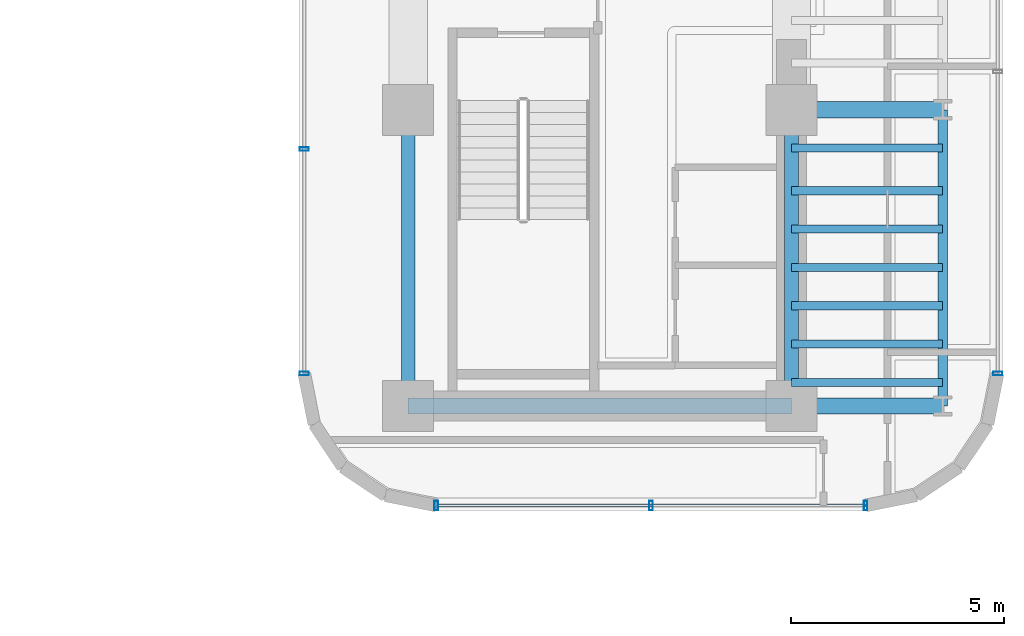
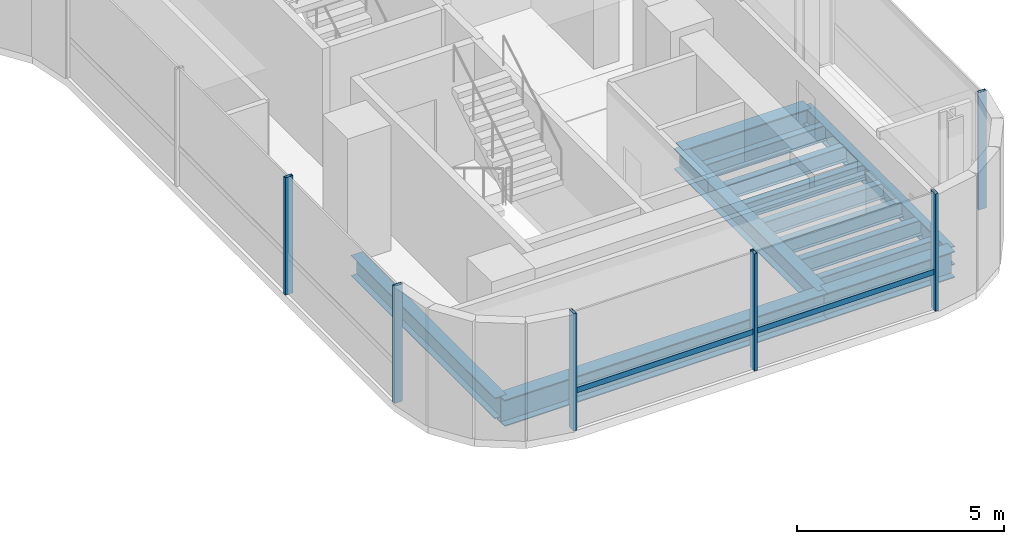
# One storey, part 11 of 35: 13 beams, 7 members, 3 elements without a shape of their own.
"""IFC4 building model written with IfcOpenShell, lengths in metres."""

from ifc_helpers import new_model, si_unit, direction, frame, origin, origin_2d, place, context, subcontext, project, spatial, hollow_rectangle, i_section, extrude, source, transform, mapped, material, material_profile, profile_set, type_object, element, aggregate, save


model = new_model("IFC4")

# Units and contexts
model_context = context("Model", 3, precision=1e-05, world=origin(), true_north=direction((0.0, 1.0)))
body_context = subcontext(model_context, "Body", "Model", "MODEL_VIEW")
ifc_project = project(units=[si_unit("LENGTHUNIT", "METRE"), si_unit("AREAUNIT", "SQUARE_METRE"), si_unit("VOLUMEUNIT", "CUBIC_METRE"), si_unit("PLANEANGLEUNIT", "RADIAN"), si_unit("MASSUNIT", "GRAM", prefix="KILO")], contexts=[model_context])

# Site, building, storey
site_placement = place(None, origin())
site = spatial("IfcSite", under=ifc_project, at=site_placement, CompositionType="ELEMENT")
building_placement = place(site_placement, origin())
building = spatial("IfcBuilding", under=site, at=building_placement, Name="Valdorenza Pilgrim Sanctuary Tower", CompositionType="ELEMENT")
storey_placement = place(building_placement, frame((0.0, 0.0, 139.0)))
storey = spatial("IfcBuildingStorey", under=building, at=storey_placement, Name="L35", CompositionType="ELEMENT", Elevation=139.0)

# Beams
ifc_material_1 = material(Name="Steel ASTM A992 Grade 50", Category="steel")
ifc_material_profile_1 = material_profile(ifc_material_1, i_section(OverallWidth=0.323974609375, OverallDepth=0.611083984375, WebThickness=0.0126953125, FlangeThickness=0.01904296875, at=origin_2d()), Name="W24X104")
ifc_profile_set_1 = profile_set([ifc_material_profile_1], Name="Steel ASTM A992 Grade 50")
beam_type_1 = type_object("IfcBeamType", Name="STR-BM-GRD-W24B", PredefinedType="BEAM", material=ifc_profile_set_1)
shared_shape_1 = source(origin(), body_context, "Body", "SweptSolid", [
    extrude(i_section(OverallWidth=0.323974609375, OverallDepth=0.611083984375, WebThickness=0.0126953125, FlangeThickness=0.01904296875, at=origin_2d()), origin(), (0.0, 0.0, 1.0), 6.949951171875),
])
for number, where, z_axis, x_axis, name in (
    (1, (15.85009765625, -9.550048828125, -0.54541015625), (0.0, 1.0, 0.0), (-1.0, 0.0, 0.0), "L35 Core Tie Girder CB-W-S1M0"),
    (2, (24.85009765625, -9.550048828125, -0.54541015625), (0.0, 1.0, 0.0), (-1.0, 0.0, 0.0), "L35 Core Tie Girder CB-E-S1M0"),
):
    element("IfcBeam", number, at=place(storey_placement, frame(where, z_axis=z_axis, x_axis=x_axis)), inside=storey, type_object=beam_type_1, Name=name, PredefinedType="BEAM", context=body_context, shape_type="MappedRepresentation", body=[
        mapped(shared_shape_1, transform((0.0, 0.0, 0.0), x_axis=(1.0, 0.0, 0.0), y_axis=(0.0, 1.0, 0.0), z_axis=(0.0, 0.0, 1.0), scale=1.0)),
    ])
ifc_material_profile_2 = material_profile(ifc_material_1, i_section(OverallWidth=0.214111328125, OverallDepth=0.549072265625, WebThickness=0.0146484375, FlangeThickness=0.023681640625, at=origin_2d()), Name="W21X93")
ifc_profile_set_2 = profile_set([ifc_material_profile_2], Name="Steel ASTM A992 Grade 50")
beam_type_2 = type_object("IfcBeamType", Name="STR-BM-SPN-W21A", PredefinedType="SPANDREL", material=ifc_profile_set_2)
shared_shape_2 = source(origin(), body_context, "Body", "SweptSolid", [
    extrude(i_section(OverallWidth=0.214111328125, OverallDepth=0.549072265625, WebThickness=0.0146484375, FlangeThickness=0.023681640625, at=origin_2d()), origin(), (0.0, 0.0, 1.0), 6.949951171875),
])
beam_1_placement = place(storey_placement, frame((28.39990234375, -9.550048828125, -0.514404296875), z_axis=(0.0, 1.0, 0.0), x_axis=(-1.0, 0.0, 0.0)))
element("IfcBeam", 3, at=beam_1_placement, inside=storey, type_object=beam_type_2, Name="L35 Spandrel Beam WB-E-S1M0", PredefinedType="SPANDREL", context=body_context, shape_type="MappedRepresentation", body=[
    mapped(shared_shape_2, transform((0.0, 0.0, 0.0), x_axis=(1.0, 0.0, 0.0), y_axis=(0.0, 1.0, 0.0), z_axis=(0.0, 0.0, 1.0), scale=1.0)),
])
ifc_material_profile_3 = material_profile(ifc_material_1, i_section(OverallWidth=0.382080078125, OverallDepth=0.779052734375, WebThickness=0.01806640625, FlangeThickness=0.030029296875, at=origin_2d()), Name="W30X191")
ifc_profile_set_3 = profile_set([ifc_material_profile_3], Name="Steel ASTM A992 Grade 50")
beam_type_3 = type_object("IfcBeamType", Name="STR-BM-GRD-W30", PredefinedType="BEAM", material=ifc_profile_set_3)
shared_shape_3 = source(origin(), body_context, "Body", "SweptSolid", [
    extrude(i_section(OverallWidth=0.382080078125, OverallDepth=0.779052734375, WebThickness=0.01806640625, FlangeThickness=0.030029296875, at=origin_2d()), origin(), (0.0, 0.0, 1.0), 9.0),
])
beam_2_placement = place(storey_placement, frame((15.85009765625, -9.550048828125, -0.62939453125), z_axis=(1.0, 0.0, 0.0), x_axis=(0.0, 1.0, 0.0)))
element("IfcBeam", 4, at=beam_2_placement, inside=storey, type_object=beam_type_3, Name="L35 Floor Girder CB-XC-S1", PredefinedType="BEAM", context=body_context, shape_type="MappedRepresentation", body=[
    mapped(shared_shape_3, transform((0.0, 0.0, 0.0), x_axis=(1.0, 0.0, 0.0), y_axis=(0.0, 1.0, 0.0), z_axis=(0.0, 0.0, 1.0), scale=1.0)),
])
shared_shape_4 = source(origin(), body_context, "Body", "SweptSolid", [
    extrude(i_section(OverallWidth=0.382080078125, OverallDepth=0.779052734375, WebThickness=0.01806640625, FlangeThickness=0.030029296875, at=origin_2d()), origin(), (0.0, 0.0, 1.0), 3.5498046875),
])
for number, where, z_axis, x_axis, name in (
    (5, (24.85009765625, -9.550048828125, -0.62939453125), (1.0, 0.0, 0.0), (0.0, 1.0, 0.0), "L35 Floor Girder WB-XE-S1"),
    (6, (24.85009765625, -2.60009765625, -0.62939453125), (1.0, 0.0, 0.0), (0.0, 1.0, 0.0), "L35 Floor Girder WB-XE-M0"),
):
    element("IfcBeam", number, at=place(storey_placement, frame(where, z_axis=z_axis, x_axis=x_axis)), inside=storey, type_object=beam_type_3, Name=name, PredefinedType="BEAM", context=body_context, shape_type="MappedRepresentation", body=[
        mapped(shared_shape_4, transform((0.0, 0.0, 0.0), x_axis=(1.0, 0.0, 0.0), y_axis=(0.0, 1.0, 0.0), z_axis=(0.0, 0.0, 1.0), scale=1.0)),
    ])
ifc_material_profile_4 = material_profile(ifc_material_1, i_section(OverallWidth=0.19091796875, OverallDepth=0.45703125, WebThickness=0.009033203125, FlangeThickness=0.014404296875, at=origin_2d()), Name="W18X50")
ifc_profile_set_4 = profile_set([ifc_material_profile_4], Name="Steel ASTM A992 Grade 50")
beam_type_4 = type_object("IfcBeamType", Name="STR-BM-JST-W18B", PredefinedType="JOIST", material=ifc_profile_set_4)
shared_shape_5 = source(origin(), body_context, "Body", "SweptSolid", [
    extrude(i_section(OverallWidth=0.19091796875, OverallDepth=0.45703125, WebThickness=0.009033203125, FlangeThickness=0.014404296875, at=origin_2d()), origin(), (0.0, 0.0, 1.0), 3.5498046875),
])
for number, where, z_axis, x_axis, name in (
    (7, (24.85009765625, -9.0, -0.468505859375), (1.0, 0.0, 0.0), (0.0, 1.0, 0.0), "L35 Composite Floor Joist JST-WB-1"),
    (8, (24.85009765625, -8.10009765625, -0.468505859375), (1.0, 0.0, 0.0), (0.0, 1.0, 0.0), "L35 Composite Floor Joist JST-WB-2"),
    (9, (24.85009765625, -7.199951171875, -0.468505859375), (1.0, 0.0, 0.0), (0.0, 1.0, 0.0), "L35 Composite Floor Joist JST-WB-3"),
    (10, (24.85009765625, -6.300048828125, -0.468505859375), (1.0, 0.0, 0.0), (0.0, 1.0, 0.0), "L35 Composite Floor Joist JST-WB-4"),
    (11, (24.85009765625, -5.39990234375, -0.468505859375), (1.0, 0.0, 0.0), (0.0, 1.0, 0.0), "L35 Composite Floor Joist JST-WB-5"),
    (12, (24.85009765625, -4.5, -0.468505859375), (1.0, 0.0, 0.0), (0.0, 1.0, 0.0), "L35 Composite Floor Joist JST-WB-6"),
    (13, (24.85009765625, -3.5, -0.468505859375), (1.0, 0.0, 0.0), (0.0, 1.0, 0.0), "L35 Composite Floor Joist JST-WB-7"),
):
    element("IfcBeam", number, at=place(storey_placement, frame(where, z_axis=z_axis, x_axis=x_axis)), inside=storey, type_object=beam_type_4, Name=name, PredefinedType="JOIST", context=body_context, shape_type="MappedRepresentation", body=[
        mapped(shared_shape_5, transform((0.0, 0.0, 0.0), x_axis=(1.0, 0.0, 0.0), y_axis=(0.0, 1.0, 0.0), z_axis=(0.0, 0.0, 1.0), scale=1.0)),
    ])

# Curtain wall, member
ifc_material_2 = material(Name="Curtain-wall IGU glazing", Category="glass")
curtain_wall_type = type_object("IfcCurtainWallType", Name="CW-SYS-03", PredefinedType="NOTDEFINED", material=ifc_material_2)
curtain_wall_1_placement = place(storey_placement, origin())
curtain_wall_1 = element("IfcCurtainWall", 14, at=curtain_wall_1_placement, inside=storey, type_object=curtain_wall_type, Name="L35 Curtain Wall CW-L35-1-21", PredefinedType="NOTDEFINED")
ifc_material_3 = material(Name="Anodised aluminium AW-6060", Category="aluminium")
ifc_material_profile_5 = material_profile(ifc_material_3, hollow_rectangle(XDim=0.0849609375, YDim=0.219970703125, WallThickness=0.0048828125, at=origin_2d()), Name="ALU-M 220x85x5")
ifc_profile_set_5 = profile_set([ifc_material_profile_5], Name="Anodised aluminium AW-6060")
member_type_1 = type_object("IfcMemberType", Name="CW-MUL-03", PredefinedType="MULLION", material=ifc_profile_set_5)
shared_shape_6 = source(origin(), body_context, "Body", "SweptSolid", [
    extrude(hollow_rectangle(XDim=0.0849609375, YDim=0.219970703125, WallThickness=0.0048828125, at=origin_2d()), origin(), (0.0, 0.0, 1.0), 3.4599609375),
])
member_1_placement = place(storey_placement, frame((29.68994140625, -8.789306640625, 0.0), z_axis=(0.0, 0.0, 1.0), x_axis=(0.0, -1.0, 0.0)))
member_1 = element("IfcMember", 15, at=member_1_placement, type_object=member_type_1, Name="CW-L35-1-21 Mullion 4", PredefinedType="MULLION", context=body_context, shape_type="MappedRepresentation", body=[
    mapped(shared_shape_6, transform((0.0, 0.0, 0.0), x_axis=(1.0, 0.0, 0.0), y_axis=(0.0, 1.0, 0.0), z_axis=(0.0, 0.0, 1.0), scale=1.0)),
])
aggregate(curtain_wall_1, [member_1])

# Curtain wall, members
curtain_wall_2_placement = place(storey_placement, origin())
curtain_wall_2 = element("IfcCurtainWall", 16, at=curtain_wall_2_placement, inside=storey, type_object=curtain_wall_type, Name="L35 Curtain Wall CW-L35-1-26", PredefinedType="NOTDEFINED")
member_2_placement = place(storey_placement, frame((26.589111328125, -11.889892578125, 0.0), z_axis=(0.0, 0.0, 1.0), x_axis=(-1.0, 0.0, 0.0)))
member_2 = element("IfcMember", 17, at=member_2_placement, type_object=member_type_1, Name="CW-L35-1-26 Mullion 1", PredefinedType="MULLION", context=body_context, shape_type="MappedRepresentation", body=[
    mapped(shared_shape_6, transform((0.0, 0.0, 0.0), x_axis=(1.0, 0.0, 0.0), y_axis=(0.0, 1.0, 0.0), z_axis=(0.0, 0.0, 1.0), scale=1.0)),
])
member_3_placement = place(storey_placement, frame((21.550048828125, -11.889892578125, 0.0), z_axis=(0.0, 0.0, 1.0), x_axis=(-1.0, 0.0, 0.0)))
member_3 = element("IfcMember", 18, at=member_3_placement, type_object=member_type_1, Name="CW-L35-1-26 Mullion 2", PredefinedType="MULLION", context=body_context, shape_type="MappedRepresentation", body=[
    mapped(shared_shape_6, transform((0.0, 0.0, 0.0), x_axis=(1.0, 0.0, 0.0), y_axis=(0.0, 1.0, 0.0), z_axis=(0.0, 0.0, 1.0), scale=1.0)),
])
member_4_placement = place(storey_placement, frame((16.5107421875, -11.889892578125, 0.0), z_axis=(0.0, 0.0, 1.0), x_axis=(-1.0, 0.0, 0.0)))
member_4 = element("IfcMember", 19, at=member_4_placement, type_object=member_type_1, Name="CW-L35-1-26 Mullion 3", PredefinedType="MULLION", context=body_context, shape_type="MappedRepresentation", body=[
    mapped(shared_shape_6, transform((0.0, 0.0, 0.0), x_axis=(1.0, 0.0, 0.0), y_axis=(0.0, 1.0, 0.0), z_axis=(0.0, 0.0, 1.0), scale=1.0)),
])

curtain_wall_3_placement = place(storey_placement, origin())
curtain_wall_3 = element("IfcCurtainWall", 20, at=curtain_wall_3_placement, inside=storey, type_object=curtain_wall_type, Name="L35 Curtain Wall CW-L35-1-31", PredefinedType="NOTDEFINED")
member_5_placement = place(storey_placement, frame((13.409912109375, -8.789306640625, 0.0), z_axis=(0.0, 0.0, 1.0), x_axis=(0.0, 1.0, 0.0)))
member_5 = element("IfcMember", 21, at=member_5_placement, type_object=member_type_1, Name="CW-L35-1-31 Mullion 1", PredefinedType="MULLION", context=body_context, shape_type="MappedRepresentation", body=[
    mapped(shared_shape_6, transform((0.0, 0.0, 0.0), x_axis=(1.0, 0.0, 0.0), y_axis=(0.0, 1.0, 0.0), z_axis=(0.0, 0.0, 1.0), scale=1.0)),
])
member_6_placement = place(storey_placement, frame((13.409912109375, -3.5224609375, 0.0), z_axis=(0.0, 0.0, 1.0), x_axis=(0.0, 1.0, 0.0)))
member_6 = element("IfcMember", 22, at=member_6_placement, type_object=member_type_1, Name="CW-L35-1-31 Mullion 2", PredefinedType="MULLION", context=body_context, shape_type="MappedRepresentation", body=[
    mapped(shared_shape_6, transform((0.0, 0.0, 0.0), x_axis=(1.0, 0.0, 0.0), y_axis=(0.0, 1.0, 0.0), z_axis=(0.0, 0.0, 1.0), scale=1.0)),
])
aggregate(curtain_wall_3, [member_5, member_6])

# Member
ifc_material_profile_6 = material_profile(ifc_material_3, hollow_rectangle(XDim=0.074951171875, YDim=0.159912109375, WallThickness=0.00390625, at=origin_2d()), Name="ALU-T 160x75x4")
ifc_profile_set_6 = profile_set([ifc_material_profile_6], Name="Anodised aluminium AW-6060")
member_type_2 = type_object("IfcMemberType", Name="CW-TRN-03", PredefinedType="USERDEFINED", material=ifc_profile_set_6)
shared_shape_7 = source(origin(), body_context, "Body", "SweptSolid", [
    extrude(hollow_rectangle(XDim=0.074951171875, YDim=0.159912109375, WallThickness=0.00390625, at=origin_2d()), origin(), (0.0, 0.0, 1.0), 10.078369140625),
])
member_7_placement = place(storey_placement, frame((26.589111328125, -11.889892578125, 1.1201171875), z_axis=(-1.0, 0.0, 0.0), x_axis=(0.0, -1.0, 0.0)))
member_7 = element("IfcMember", 23, at=member_7_placement, type_object=member_type_2, Name="CW-L35-1-26 Transom 1", ObjectType="TRANSOM", PredefinedType="USERDEFINED", context=body_context, shape_type="MappedRepresentation", body=[
    mapped(shared_shape_7, transform((0.0, 0.0, 0.0), x_axis=(1.0, 0.0, 0.0), y_axis=(0.0, 1.0, 0.0), z_axis=(0.0, 0.0, 1.0), scale=1.0)),
])

aggregate(curtain_wall_2, [member_2, member_3, member_4, member_7])

save(model, "model.ifc")
